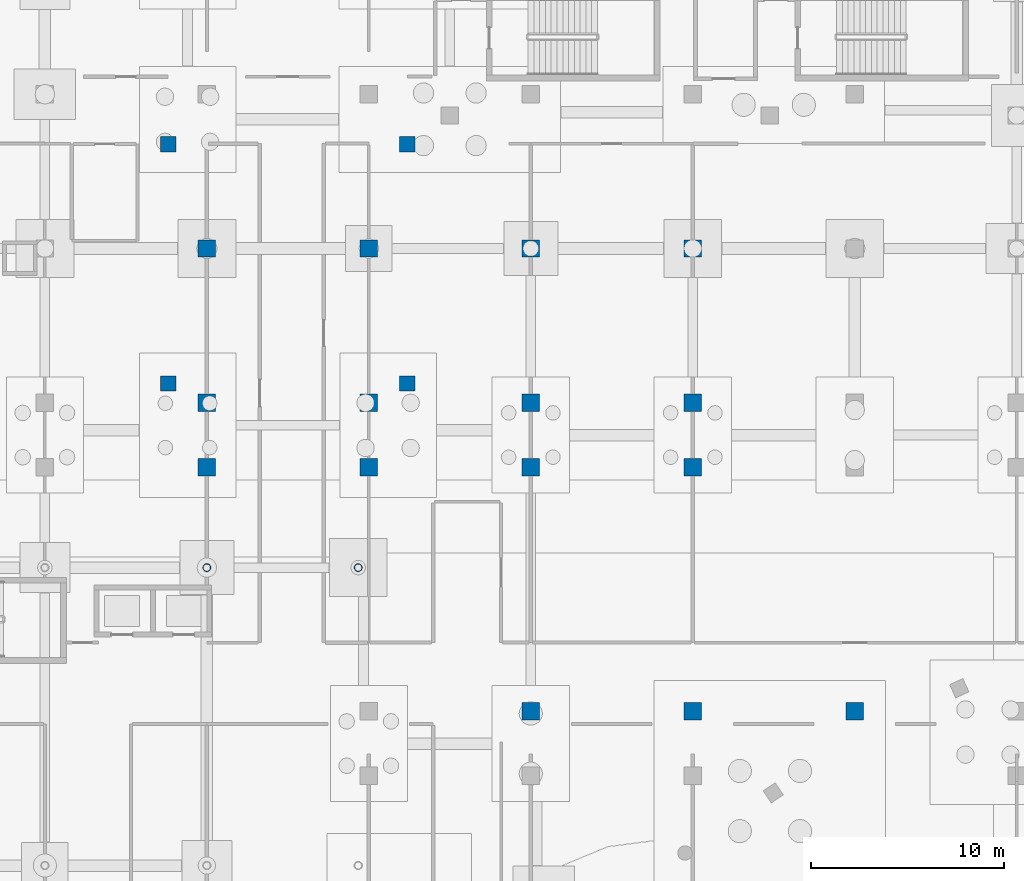
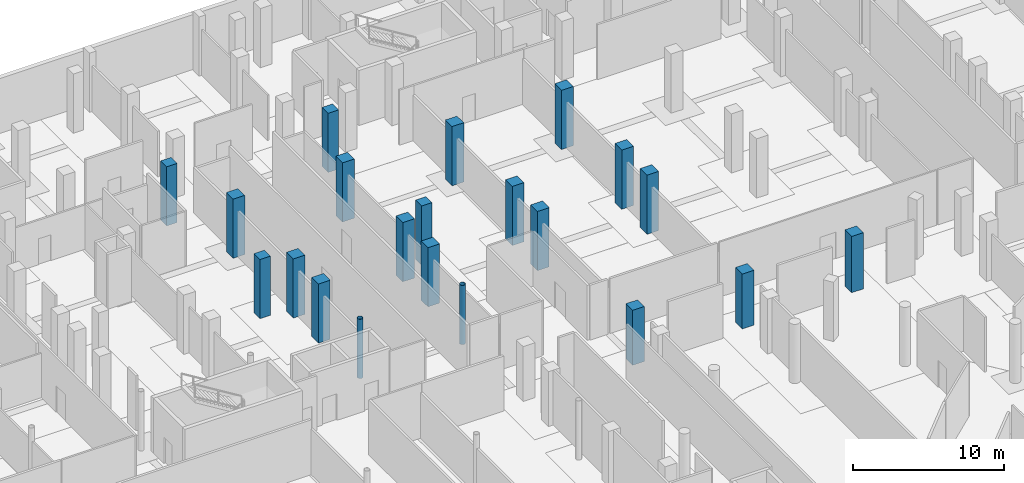
# One storey, part 20 of 45: 21 columns.
"""IFC4 building model written with IfcOpenShell, lengths in metres."""

from ifc_helpers import new_model, si_unit, direction, frame, origin, origin_2d, place, context, subcontext, project, spatial, rectangle, hollow_circle, extrude, material, material_profile, profile_set, type_object, element, save


model = new_model("IFC4")

# Units and contexts
model_context = context("Model", 3, precision=1e-05, world=origin(), true_north=direction((0.0, 1.0)))
body_context = subcontext(model_context, "Body", "Model", "MODEL_VIEW")
ifc_project = project(units=[si_unit("LENGTHUNIT", "METRE"), si_unit("AREAUNIT", "SQUARE_METRE"), si_unit("VOLUMEUNIT", "CUBIC_METRE"), si_unit("PLANEANGLEUNIT", "RADIAN"), si_unit("MASSUNIT", "GRAM", prefix="KILO")], contexts=[model_context])

# Site, building, storey
site_placement = place(None, origin())
site = spatial("IfcSite", under=ifc_project, at=site_placement, CompositionType="ELEMENT")
building_placement = place(site_placement, origin())
building = spatial("IfcBuilding", under=site, at=building_placement, Name="Selatvlak General Hospital", CompositionType="ELEMENT")
storey_placement = place(building_placement, frame((0.0, 0.0, -4.800048828125)))
storey = spatial("IfcBuildingStorey", under=building, at=storey_placement, Name="B1", CompositionType="ELEMENT", Elevation=-4.800048828125)

# Columns
ifc_material_1 = material(Name="Steel S355", Category="steel")
ifc_material_profile_1 = material_profile(ifc_material_1, hollow_circle(Radius=0.203125, WallThickness=0.01611328125, at=origin_2d()), Name="CHS 406.4x16")
ifc_profile_set_1 = profile_set([ifc_material_profile_1], Name="Steel S355")
column_type_1 = type_object("IfcColumnType", Name="COL-CHS406", PredefinedType="COLUMN", material=ifc_profile_set_1)
for number, where, z_axis, x_axis, name in (
    (1, (73.199951171875, 83.449951171875, 0.0), (0.0, 0.0, 1.0), (1.0, 0.0, 0.0), "Column 021 on B1"),
    (2, (81.050048828125, 83.449951171875, 0.0), (0.0, 0.0, 1.0), (1.0, 0.0, 0.0), "Column 024 on B1"),
):
    element("IfcColumn", number, at=place(storey_placement, frame(where, z_axis=z_axis, x_axis=x_axis)), inside=storey, type_object=column_type_1, Name=name, PredefinedType="COLUMN", context=body_context, shape_type="SweptSolid", body=[
        extrude(hollow_circle(Radius=0.203125, WallThickness=0.01611328125, at=origin_2d()), origin(), (0.0, 0.0, 1.0), 4.800048828125),
    ])
ifc_material_2 = material(Name="Concrete C50/60", Category="concrete")
ifc_material_profile_2 = material_profile(ifc_material_2, rectangle(XDim=0.800048828125, YDim=0.800048828125, at=origin_2d()), Name="RC-COL 800x800")
ifc_profile_set_2 = profile_set([ifc_material_profile_2], Name="Concrete C50/60")
column_type_2 = type_object("IfcColumnType", Name="COL-RC80", PredefinedType="COLUMN", material=ifc_profile_set_2)
for number, where, z_axis, x_axis, name in (
    (3, (71.199951171875, 93.0, 0.0), (0.0, 0.0, 1.0), (1.0, 0.0, 0.0), "Column 040 on B1"),
    (4, (71.199951171875, 105.39990234375, 0.0), (0.0, 0.0, 1.0), (1.0, 0.0, 0.0), "Column 041 on B1"),
    (5, (83.60009765625, 93.0, 0.0), (0.0, 0.0, 1.0), (1.0, 0.0, 0.0), "Column 043 on B1"),
    (6, (83.60009765625, 105.39990234375, 0.0), (0.0, 0.0, 1.0), (1.0, 0.0, 0.0), "Column 044 on B1"),
):
    element("IfcColumn", number, at=place(storey_placement, frame(where, z_axis=z_axis, x_axis=x_axis)), inside=storey, type_object=column_type_2, Name=name, PredefinedType="COLUMN", context=body_context, shape_type="SweptSolid", body=[
        extrude(rectangle(XDim=0.800048828125, YDim=0.800048828125, at=origin_2d()), origin(), (0.0, 0.0, 1.0), 4.800048828125),
    ])
ifc_material_profile_3 = material_profile(ifc_material_2, rectangle(XDim=0.89990234375, YDim=0.89990234375, at=origin_2d()), Name="RC-COL 900x900")
ifc_profile_set_3 = profile_set([ifc_material_profile_3], Name="Concrete C50/60")
column_type_3 = type_object("IfcColumnType", Name="COL-RC90", PredefinedType="COLUMN", material=ifc_profile_set_3)
for number, where, z_axis, x_axis, name in (
    (7, (73.199951171875, 88.64990234375, 0.0), (0.0, 0.0, 1.0), (1.0, 0.0, 0.0), "Column 192 on B1"),
    (8, (73.199951171875, 92.0, 0.0), (0.0, 0.0, 1.0), (1.0, 0.0, 0.0), "Column 193 on B1"),
    (9, (73.199951171875, 100.0, 0.0), (0.0, 0.0, 1.0), (1.0, 0.0, 0.0), "Column 194 on B1"),
    (10, (81.60009765625, 88.64990234375, 0.0), (0.0, 0.0, 1.0), (1.0, 0.0, 0.0), "Column 201 on B1"),
    (11, (81.60009765625, 92.0, 0.0), (0.0, 0.0, 1.0), (1.0, 0.0, 0.0), "Column 202 on B1"),
    (12, (81.60009765625, 100.0, 0.0), (0.0, 0.0, 1.0), (1.0, 0.0, 0.0), "Column 203 on B1"),
):
    element("IfcColumn", number, at=place(storey_placement, frame(where, z_axis=z_axis, x_axis=x_axis)), inside=storey, type_object=column_type_3, Name=name, PredefinedType="COLUMN", context=body_context, shape_type="SweptSolid", body=[
        extrude(rectangle(XDim=0.89990234375, YDim=0.89990234375, at=origin_2d()), origin(), (0.0, 0.0, 1.0), 4.800048828125),
    ])
column_1_placement = place(storey_placement, frame((90.0, 76.0, 0.0), z_axis=(0.0, 0.0, 1.0), x_axis=(1.0, 0.0, 0.0)))
element("IfcColumn", 13, at=column_1_placement, inside=storey, type_object=column_type_3, Name="Column 209 on B1", PredefinedType="COLUMN", context=body_context, shape_type="SweptSolid", body=[
    extrude(rectangle(XDim=0.89990234375, YDim=0.89990234375, at=origin_2d()), origin(), (0.0, 0.0, 1.0), 4.449951171875),
])
for number, where, z_axis, x_axis, name in (
    (14, (90.0, 88.64990234375, 0.0), (0.0, 0.0, 1.0), (1.0, 0.0, 0.0), "Column 210 on B1"),
    (15, (90.0, 92.0, 0.0), (0.0, 0.0, 1.0), (1.0, 0.0, 0.0), "Column 211 on B1"),
    (16, (90.0, 100.0, 0.0), (0.0, 0.0, 1.0), (1.0, 0.0, 0.0), "Column 212 on B1"),
):
    element("IfcColumn", number, at=place(storey_placement, frame(where, z_axis=z_axis, x_axis=x_axis)), inside=storey, type_object=column_type_3, Name=name, PredefinedType="COLUMN", context=body_context, shape_type="SweptSolid", body=[
        extrude(rectangle(XDim=0.89990234375, YDim=0.89990234375, at=origin_2d()), origin(), (0.0, 0.0, 1.0), 4.800048828125),
    ])
column_2_placement = place(storey_placement, frame((98.39990234375, 76.0, 0.0), z_axis=(0.0, 0.0, 1.0), x_axis=(1.0, 0.0, 0.0)))
element("IfcColumn", 17, at=column_2_placement, inside=storey, type_object=column_type_3, Name="Column 217 on B1", PredefinedType="COLUMN", context=body_context, shape_type="SweptSolid", body=[
    extrude(rectangle(XDim=0.89990234375, YDim=0.89990234375, at=origin_2d()), origin(), (0.0, 0.0, 1.0), 4.449951171875),
])
for number, where, z_axis, x_axis, name in (
    (18, (98.39990234375, 88.64990234375, 0.0), (0.0, 0.0, 1.0), (1.0, 0.0, 0.0), "Column 218 on B1"),
    (19, (98.39990234375, 92.0, 0.0), (0.0, 0.0, 1.0), (1.0, 0.0, 0.0), "Column 219 on B1"),
    (20, (98.39990234375, 100.0, 0.0), (0.0, 0.0, 1.0), (1.0, 0.0, 0.0), "Column 220 on B1"),
):
    element("IfcColumn", number, at=place(storey_placement, frame(where, z_axis=z_axis, x_axis=x_axis)), inside=storey, type_object=column_type_3, Name=name, PredefinedType="COLUMN", context=body_context, shape_type="SweptSolid", body=[
        extrude(rectangle(XDim=0.89990234375, YDim=0.89990234375, at=origin_2d()), origin(), (0.0, 0.0, 1.0), 4.800048828125),
    ])
column_3_placement = place(storey_placement, frame((106.800048828125, 76.0, 0.0), z_axis=(0.0, 0.0, 1.0), x_axis=(1.0, 0.0, 0.0)))
element("IfcColumn", 21, at=column_3_placement, inside=storey, type_object=column_type_3, Name="Column 223 on B1", PredefinedType="COLUMN", context=body_context, shape_type="SweptSolid", body=[
    extrude(rectangle(XDim=0.89990234375, YDim=0.89990234375, at=origin_2d()), origin(), (0.0, 0.0, 1.0), 4.56494140625),
])

save(model, "model.ifc")
